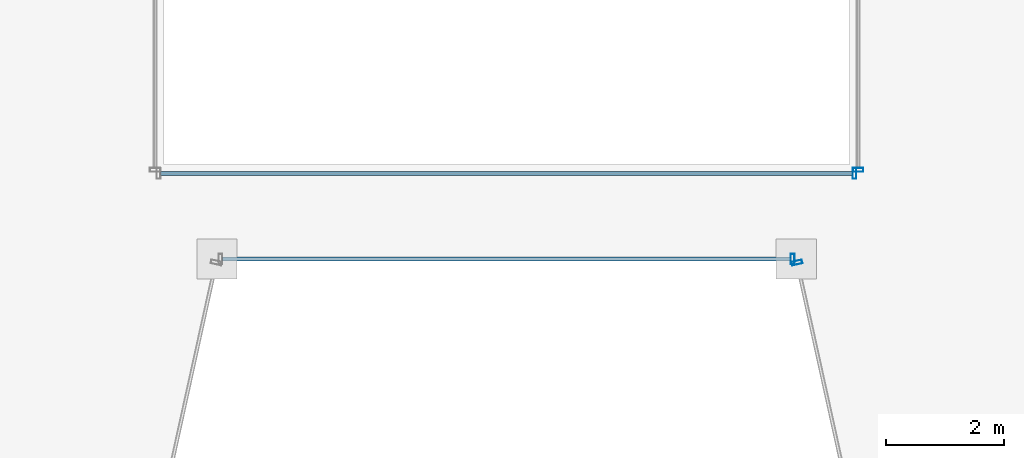
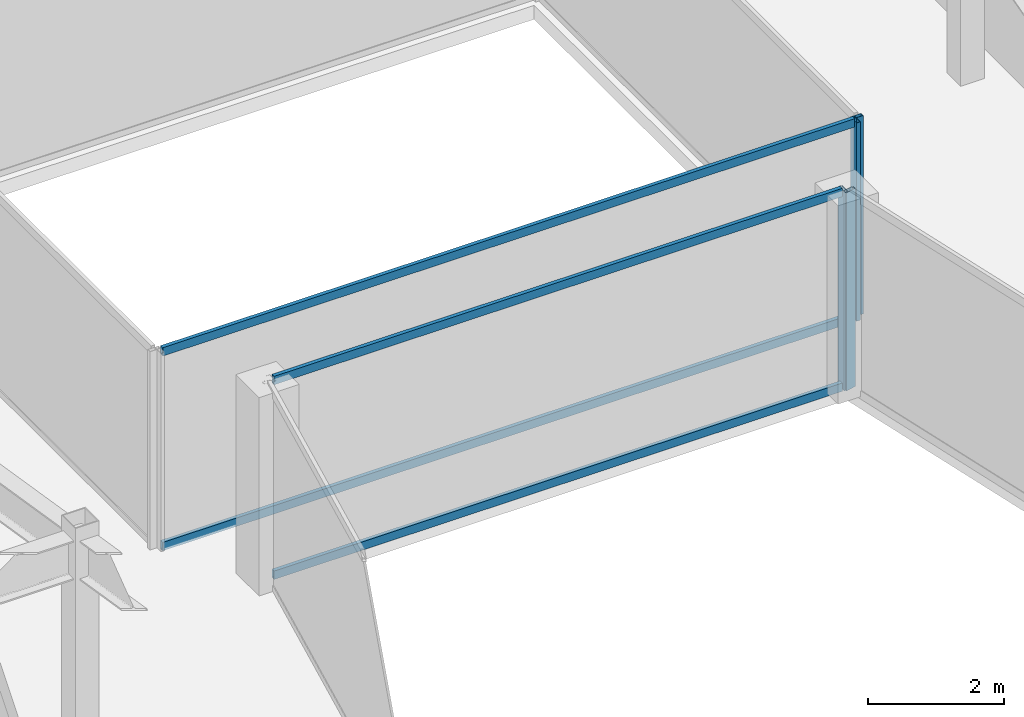
# One storey, part 8 of 36: 8 members, 4 elements without a shape of their own.
"""IFC4 building model written with IfcOpenShell, lengths in metres."""

import ifcopenshell
import ifcopenshell.guid

model = None  # the IFC model being written
_history = None  # IfcOwnerHistory: only IFC2X3 demands one
_inside = {}  # id of a spatial element -> (the spatial element, [elements in it])
_under = {}  # id of a project, library or spatial element -> (it, [spatial elements below it])
_declared = {}  # id of a project -> (the project, [libraries it declares])
_typed = {}  # id of a type object -> (the type object, [elements of that type])
_made_of = {}  # id of a material, layer set ... -> (it, [elements and type objects made of it])


def new_model(schema):
    """Start an empty IFC model of exactly this schema.

    Asked for "IFC4X3", IfcOpenShell would pick the latest addendum, in which some entities
    have other attributes; the version numbers below select the first issue.
    IFC2X3 requires an IfcOwnerHistory on every rooted entity: one is made here for all.
    """
    global model, _history
    if schema == "IFC4X3":
        model = ifcopenshell.file(schema_version=(4, 3, 0, 0))
    else:
        model = ifcopenshell.file(schema=schema)
    _inside.clear()
    _under.clear()
    _declared.clear()
    _typed.clear()
    _made_of.clear()
    _history = None
    if model.schema == "IFC2X3":
        org = make("IfcOrganization", Name="unknown")
        user = make(
            "IfcPersonAndOrganization",
            ThePerson=make("IfcPerson", FamilyName="unknown"),
            TheOrganization=org,
        )
        app = make(
            "IfcApplication",
            ApplicationDeveloper=org,
            Version="unknown",
            ApplicationFullName="unknown",
            ApplicationIdentifier="unknown",
        )
        _history = make(
            "IfcOwnerHistory",
            OwningUser=user,
            OwningApplication=app,
            ChangeAction="ADDED",
            CreationDate=0,
        )
    return model


def make(cls, **values):
    """One entity of the class cls with the attributes given. An attribute that is None is left unset."""
    return model.create_entity(
        cls, **{name: value for name, value in values.items() if value is not None}
    )


def rooted(cls, **values):
    """An entity with a GlobalId (a new one), such as an element, a storey or a relation."""
    return make(cls, GlobalId=ifcopenshell.guid.new(), OwnerHistory=_history, **values)


def si_unit(unit_type, name, prefix=None):
    """IfcSIUnit, for example si_unit("LENGTHUNIT", "METRE", prefix="MILLI")."""
    return make("IfcSIUnit", UnitType=unit_type, Prefix=prefix, Name=name)


def assignment(units):
    """IfcUnitAssignment: the units of a project."""
    return None if units is None else make("IfcUnitAssignment", Units=units)


def point(xyz):
    """IfcCartesianPoint."""
    return None if xyz is None else make("IfcCartesianPoint", Coordinates=xyz)


def direction(xyz):
    """IfcDirection."""
    return None if xyz is None else make("IfcDirection", DirectionRatios=xyz)


def frame(location, z_axis=None, x_axis=None):
    """IfcAxis2Placement3D, a coordinate frame: its origin and axes. An axis left out is left unset."""
    return make(
        "IfcAxis2Placement3D",
        Location=point(location),
        Axis=direction(z_axis),
        RefDirection=direction(x_axis),
    )


def frame_2d(location, x_axis=None):
    """IfcAxis2Placement2D, a coordinate frame in the plane: its origin and x axis."""
    return make(
        "IfcAxis2Placement2D", Location=point(location), RefDirection=direction(x_axis)
    )


def origin():
    """The frame at (0, 0, 0) with its axes left unset."""
    return frame((0.0, 0.0, 0.0))


def origin_2d():
    """The frame at (0, 0) in the plane with its x axis left unset."""
    return frame_2d((0.0, 0.0))


def place(relative_to, where):
    """IfcLocalPlacement: puts the frame where relative to a parent placement (None: the world)."""
    return make(
        "IfcLocalPlacement", PlacementRelTo=relative_to, RelativePlacement=where
    )


def context(
    kind, dimensions, precision=None, world=None, true_north=None, identifier=None
):
    """IfcGeometricRepresentationContext, for example the 3D "Model" context."""
    return make(
        "IfcGeometricRepresentationContext",
        ContextIdentifier=identifier,
        ContextType=kind,
        CoordinateSpaceDimension=dimensions,
        Precision=precision,
        WorldCoordinateSystem=world,
        TrueNorth=true_north,
    )


def subcontext(parent, identifier, kind, view, scale=None):
    """IfcGeometricRepresentationSubContext, for example "Body" below "Model"."""
    return make(
        "IfcGeometricRepresentationSubContext",
        ContextIdentifier=identifier,
        ContextType=kind,
        ParentContext=parent,
        TargetScale=scale,
        TargetView=view,
    )


def project(units=None, contexts=None):
    """IfcProject with its units and contexts."""
    return rooted(
        "IfcProject",
        Name="project",
        RepresentationContexts=contexts,
        UnitsInContext=assignment(units),
    )


def spatial(cls, under=None, at=None, **own):
    """A site, building, storey or space (cls), placed at a placement, below another one or the project."""
    s = rooted(cls, ObjectPlacement=at, **own)
    if under is not None:
        _under.setdefault(under.id(), (under, []))[1].append(s)
    return s


def profile(cls, at=None, kind="AREA", **sizes):
    """A parametric profile (cls). Its sizes go by their IFC names, for example OverallWidth=200.0."""
    return make(cls, ProfileType=kind, Position=at, **sizes)


def hollow_rectangle(**sizes):
    """IfcRectangleHollowProfileDef."""
    return profile("IfcRectangleHollowProfileDef", **sizes)


def extrude(swept, where, along, depth):
    """IfcExtrudedAreaSolid: the profile swept, set in the frame where, extruded along a direction by depth."""
    return make(
        "IfcExtrudedAreaSolid",
        SweptArea=swept,
        Position=where,
        ExtrudedDirection=direction(along),
        Depth=depth,
    )


def shape(context_of_items, identifier, shape_type, items):
    """IfcShapeRepresentation: the items that make up one representation, for example the "Body"."""
    return make(
        "IfcShapeRepresentation",
        ContextOfItems=context_of_items,
        RepresentationIdentifier=identifier,
        RepresentationType=shape_type,
        Items=items,
    )


def material(Name=None, Category=None):
    """IfcMaterial."""
    return make("IfcMaterial", Name=Name, Category=Category)


def material_profile(
    of_material, cross_section, Name=None, Category=None, Priority=None
):
    """IfcMaterialProfile: a cross section and its material."""
    return make(
        "IfcMaterialProfile",
        Name=Name,
        Material=of_material,
        Profile=cross_section,
        Priority=Priority,
        Category=Category,
    )


def profile_set(profiles, Name=None, composite=None):
    """IfcMaterialProfileSet."""
    return make(
        "IfcMaterialProfileSet",
        Name=Name,
        MaterialProfiles=profiles,
        CompositeProfile=composite,
    )


def made_of(thing, what):
    """Note that an element or type object is made of a material, layer set ...; save() writes the relation."""
    if what is not None:
        _made_of.setdefault(what.id(), (what, []))[1].append(thing)
    return thing


def type_object(cls, material=None, **own):
    """A type object (cls), such as IfcWallType, which elements share."""
    return made_of(rooted(cls, **own), material)


def element(
    cls,
    number,
    at=None,
    inside=None,
    cuts=None,
    type_object=None,
    material=None,
    context=None,
    identifier="Body",
    shape_type=None,
    held_by="IfcProductDefinitionShape",
    body=None,
    shapes=None,
    **own,
):
    """One element of the class cls, such as IfcWall. Its Tag is "e" and its number.

    at: its placement. inside: the storey or other place that contains it. cuts: it is an
    opening in that element (IfcRelVoidsElement). A single representation is given by context,
    identifier, shape_type and body (its items); several are given by shapes. held_by: the class
    of the entity that holds the representations. save() writes the other relations.
    """
    e = rooted(cls, Tag="e%d" % number, ObjectPlacement=at, **own)
    if body is not None:
        shapes = [shape(context, identifier, shape_type, body)]
    if shapes is not None:
        e.Representation = make(held_by, Representations=shapes)
    if inside is not None:
        _inside.setdefault(inside.id(), (inside, []))[1].append(e)
    if cuts is not None:
        rooted(
            "IfcRelVoidsElement", RelatingBuildingElement=cuts, RelatedOpeningElement=e
        )
    if type_object is not None:
        _typed.setdefault(type_object.id(), (type_object, []))[1].append(e)
    return made_of(e, material)


def aggregate(whole, parts):
    """IfcRelAggregates: a whole, such as a stair, and the parts it consists of."""
    return rooted("IfcRelAggregates", RelatingObject=whole, RelatedObjects=parts)


def save(model, path):
    """Write the relations noted so far, then the file.

    IfcRelAggregates (storeys below a building ...), IfcRelContainedInSpatialStructure (elements
    in a storey), IfcRelDefinesByType, IfcRelAssociatesMaterial and IfcRelDeclares: one each for
    every whole, place, type object, material and project.
    """
    for whole, parts in _under.values():
        aggregate(whole, parts)
    for where, things in _inside.values():
        rooted(
            "IfcRelContainedInSpatialStructure",
            RelatedElements=things,
            RelatingStructure=where,
        )
    for kind, things in _typed.values():
        rooted("IfcRelDefinesByType", RelatedObjects=things, RelatingType=kind)
    for what, things in _made_of.values():
        rooted("IfcRelAssociatesMaterial", RelatedObjects=things, RelatingMaterial=what)
    for by, libraries in _declared.values():
        rooted("IfcRelDeclares", RelatingContext=by, RelatedDefinitions=libraries)
    model.write(path)


model = new_model("IFC4")

# Units and contexts
model_context = context("Model", 3, precision=1e-05, world=origin(), true_north=direction((0.0, 1.0)))
body_context = subcontext(model_context, "Body", "Model", "MODEL_VIEW")
ifc_project = project(units=[si_unit("LENGTHUNIT", "METRE"), si_unit("AREAUNIT", "SQUARE_METRE"), si_unit("VOLUMEUNIT", "CUBIC_METRE"), si_unit("PLANEANGLEUNIT", "RADIAN"), si_unit("MASSUNIT", "GRAM", prefix="KILO")], contexts=[model_context])

# Site, building, storey
site_placement = place(None, origin())
site = spatial("IfcSite", under=ifc_project, at=site_placement, CompositionType="ELEMENT")
building_placement = place(site_placement, origin())
building = spatial("IfcBuilding", under=site, at=building_placement, Name="Saevonmaru Cultural Tower", CompositionType="ELEMENT")
storey_placement = place(building_placement, frame((0.0, 0.0, 186.60009765625)))
storey = spatial("IfcBuildingStorey", under=building, at=storey_placement, Name="L42", CompositionType="ELEMENT", Elevation=186.60009765625)

# Curtain wall, member
ifc_material = material(Name="Satin Bronze Anodised Aluminium", Category="aluminium")
curtain_wall_type_1 = type_object("IfcCurtainWallType", Name="CW-TYP-B", PredefinedType="NOTDEFINED", material=ifc_material)
curtain_wall_1_placement = place(storey_placement, origin())
curtain_wall_1 = element("IfcCurtainWall", 1, at=curtain_wall_1_placement, inside=storey, type_object=curtain_wall_type_1, Name="L42 Unitised Curtain Wall E4", PredefinedType="NOTDEFINED")
ifc_material_profile_1 = material_profile(ifc_material, hollow_rectangle(XDim=0.06494140625, YDim=0.179931640625, WallThickness=0.00390625, at=origin_2d()), Name="ALU-MULL-180x65x4")
ifc_profile_set_1 = profile_set([ifc_material_profile_1], Name="Satin Bronze Anodised Aluminium")
member_type_1 = type_object("IfcMemberType", Name="ML-CW-180x65", PredefinedType="MULLION", material=ifc_profile_set_1)
member_1_placement = place(storey_placement, frame((34.84228515625, 26.0, 0.0), z_axis=(0.0, 0.0, 1.0), x_axis=(1.0, 0.0, 0.0)))
member_1 = element("IfcMember", 2, at=member_1_placement, type_object=member_type_1, Name="CW-TW-L42-E4 mullion 2", PredefinedType="MULLION", context=body_context, shape_type="SweptSolid", body=[
    extrude(hollow_rectangle(XDim=0.06494140625, YDim=0.179931640625, WallThickness=0.00390625, at=origin_2d()), origin(), (0.0, 0.0, 1.0), 3.5498046875),
])

curtain_wall_2_placement = place(storey_placement, origin())
curtain_wall_2 = element("IfcCurtainWall", 3, at=curtain_wall_2_placement, inside=storey, type_object=curtain_wall_type_1, Name="L42 Unitised Curtain Wall E5", PredefinedType="NOTDEFINED")
member_2_placement = place(storey_placement, frame((34.9150390625, 25.94140625, 0.0), z_axis=(0.0, 0.0, 1.0), x_axis=(0.215413319953, -0.976522965212, 0.0)))
member_2 = element("IfcMember", 4, at=member_2_placement, type_object=member_type_1, Name="CW-TW-L42-E5 mullion 1", PredefinedType="MULLION", context=body_context, shape_type="SweptSolid", body=[
    extrude(hollow_rectangle(XDim=0.06494140625, YDim=0.179931640625, WallThickness=0.00390625, at=origin_2d()), origin(), (0.0, 0.0, 1.0), 3.5498046875),
])
aggregate(curtain_wall_2, [member_2])

curtain_wall_type_2 = type_object("IfcCurtainWallType", Name="CW-ATR-GLZ", PredefinedType="NOTDEFINED", material=ifc_material)
curtain_wall_3_placement = place(storey_placement, origin())
curtain_wall_3 = element("IfcCurtainWall", 5, at=curtain_wall_3_placement, inside=storey, type_object=curtain_wall_type_2, Name="L42 Vertical Atrium Glazed Smoke Screen 1", PredefinedType="NOTDEFINED")
ifc_material_profile_2 = material_profile(ifc_material, hollow_rectangle(XDim=0.06494140625, YDim=0.179931640625, WallThickness=0.00390625, at=origin_2d()), Name="ALU-MULL-180x65x4")
ifc_profile_set_2 = profile_set([ifc_material_profile_2], Name="Satin Bronze Anodised Aluminium")
member_type_2 = type_object("IfcMemberType", Name="ML-CW-INT-180x65", PredefinedType="MULLION", material=ifc_profile_set_2)
member_3_placement = place(storey_placement, frame((35.889892578125, 27.449951171875, 0.0), z_axis=(0.0, 0.0, 1.0), x_axis=(1.0, 0.0, 0.0)))
member_3 = element("IfcMember", 6, at=member_3_placement, type_object=member_type_2, Name="CW-ATR-L42-1 mullion 2", PredefinedType="MULLION", context=body_context, shape_type="SweptSolid", body=[
    extrude(hollow_rectangle(XDim=0.06494140625, YDim=0.179931640625, WallThickness=0.00390625, at=origin_2d()), origin(), (0.0, 0.0, 1.0), 3.5498046875),
])

curtain_wall_4_placement = place(storey_placement, origin())
curtain_wall_4 = element("IfcCurtainWall", 7, at=curtain_wall_4_placement, inside=storey, type_object=curtain_wall_type_2, Name="L42 Vertical Atrium Glazed Smoke Screen 2", PredefinedType="NOTDEFINED")
member_4_placement = place(storey_placement, frame((35.949951171875, 27.510009765625, 0.0), z_axis=(0.0, 0.0, 1.0), x_axis=(0.0, 1.0, 0.0)))
member_4 = element("IfcMember", 8, at=member_4_placement, type_object=member_type_2, Name="CW-ATR-L42-2 mullion 1", PredefinedType="MULLION", context=body_context, shape_type="SweptSolid", body=[
    extrude(hollow_rectangle(XDim=0.06494140625, YDim=0.179931640625, WallThickness=0.00390625, at=origin_2d()), origin(), (0.0, 0.0, 1.0), 3.5498046875),
])
aggregate(curtain_wall_4, [member_4])

# Member
ifc_material_profile_3 = material_profile(ifc_material, hollow_rectangle(XDim=0.06494140625, YDim=0.14990234375, WallThickness=0.00390625, at=origin_2d()), Name="ALU-TRAN-150x65x4")
ifc_profile_set_3 = profile_set([ifc_material_profile_3], Name="Satin Bronze Anodised Aluminium")
member_type_3 = type_object("IfcMemberType", Name="TR-CW-150x65", PredefinedType="USERDEFINED", material=ifc_profile_set_3)
member_5_placement = place(storey_placement, frame((25.190185546875, 26.0, 0.032470703125), z_axis=(1.0, 0.0, 0.0), x_axis=(0.0, 1.0, 0.0)))
member_5 = element("IfcMember", 9, at=member_5_placement, type_object=member_type_3, Name="CW-TW-L42-E4 transom 1.1", ObjectType="TRANSOM", PredefinedType="USERDEFINED", context=body_context, shape_type="SweptSolid", body=[
    extrude(hollow_rectangle(XDim=0.06494140625, YDim=0.14990234375, WallThickness=0.00390625, at=origin_2d()), origin(), (0.0, 0.0, 1.0), 9.61962890625),
])

member_6_placement = place(storey_placement, frame((25.190185546875, 26.0, 3.517333984375), z_axis=(1.0, 0.0, 0.0), x_axis=(0.0, 1.0, 0.0)))
member_6 = element("IfcMember", 10, at=member_6_placement, type_object=member_type_3, Name="CW-TW-L42-E4 transom 1.2", ObjectType="TRANSOM", PredefinedType="USERDEFINED", context=body_context, shape_type="SweptSolid", body=[
    extrude(hollow_rectangle(XDim=0.06494140625, YDim=0.14990234375, WallThickness=0.00390625, at=origin_2d()), origin(), (0.0, 0.0, 1.0), 9.61962890625),
])

aggregate(curtain_wall_1, [member_1, member_5, member_6])

ifc_material_profile_4 = material_profile(ifc_material, hollow_rectangle(XDim=0.06494140625, YDim=0.14990234375, WallThickness=0.00390625, at=origin_2d()), Name="ALU-TRAN-150x65x4")
ifc_profile_set_4 = profile_set([ifc_material_profile_4], Name="Satin Bronze Anodised Aluminium")
member_type_4 = type_object("IfcMemberType", Name="TR-CW-INT-150x65", PredefinedType="USERDEFINED", material=ifc_profile_set_4)
member_7_placement = place(storey_placement, frame((24.142578125, 27.449951171875, 0.032470703125), z_axis=(1.0, 0.0, 0.0), x_axis=(0.0, 1.0, 0.0)))
member_7 = element("IfcMember", 11, at=member_7_placement, type_object=member_type_4, Name="CW-ATR-L42-1 transom 1.1", ObjectType="TRANSOM", PredefinedType="USERDEFINED", context=body_context, shape_type="SweptSolid", body=[
    extrude(hollow_rectangle(XDim=0.06494140625, YDim=0.14990234375, WallThickness=0.00390625, at=origin_2d()), origin(), (0.0, 0.0, 1.0), 11.71484375),
])

member_8_placement = place(storey_placement, frame((24.142578125, 27.449951171875, 3.517333984375), z_axis=(1.0, 0.0, 0.0), x_axis=(0.0, 1.0, 0.0)))
member_8 = element("IfcMember", 12, at=member_8_placement, type_object=member_type_4, Name="CW-ATR-L42-1 transom 1.2", ObjectType="TRANSOM", PredefinedType="USERDEFINED", context=body_context, shape_type="SweptSolid", body=[
    extrude(hollow_rectangle(XDim=0.06494140625, YDim=0.14990234375, WallThickness=0.00390625, at=origin_2d()), origin(), (0.0, 0.0, 1.0), 11.71484375),
])

aggregate(curtain_wall_3, [member_3, member_7, member_8])

save(model, "model.ifc")
